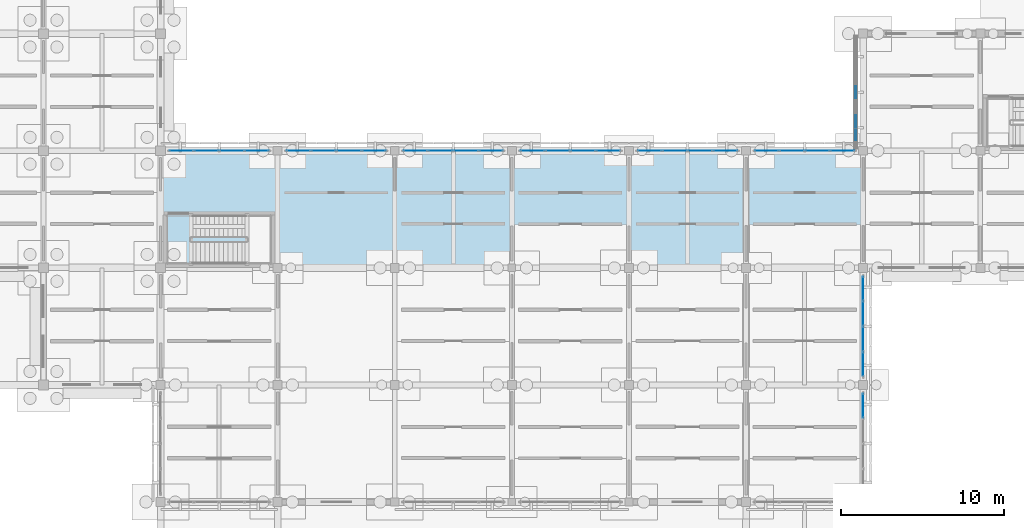
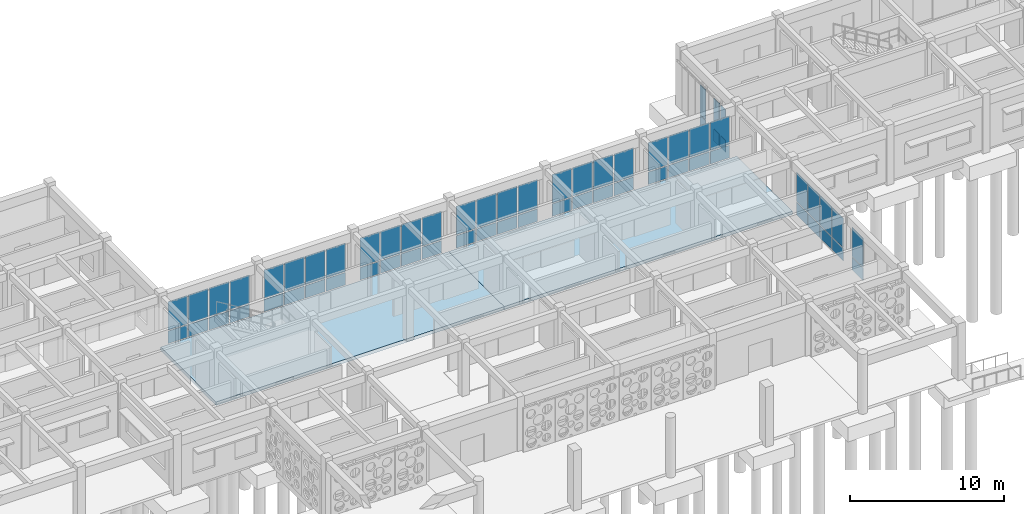
# One storey, part 53 of 111: 64 plates, 2 slabs, 9 elements without a shape of their own.
"""IFC4 building model written with IfcOpenShell, lengths in metres."""

import ifcopenshell
import ifcopenshell.guid

model = None  # the IFC model being written
_history = None  # IfcOwnerHistory: only IFC2X3 demands one
_inside = {}  # id of a spatial element -> (the spatial element, [elements in it])
_under = {}  # id of a project, library or spatial element -> (it, [spatial elements below it])
_declared = {}  # id of a project -> (the project, [libraries it declares])
_typed = {}  # id of a type object -> (the type object, [elements of that type])
_made_of = {}  # id of a material, layer set ... -> (it, [elements and type objects made of it])


def new_model(schema):
    """Start an empty IFC model of exactly this schema.

    Asked for "IFC4X3", IfcOpenShell would pick the latest addendum, in which some entities
    have other attributes; the version numbers below select the first issue.
    IFC2X3 requires an IfcOwnerHistory on every rooted entity: one is made here for all.
    """
    global model, _history
    if schema == "IFC4X3":
        model = ifcopenshell.file(schema_version=(4, 3, 0, 0))
    else:
        model = ifcopenshell.file(schema=schema)
    _inside.clear()
    _under.clear()
    _declared.clear()
    _typed.clear()
    _made_of.clear()
    _history = None
    if model.schema == "IFC2X3":
        org = make("IfcOrganization", Name="unknown")
        user = make(
            "IfcPersonAndOrganization",
            ThePerson=make("IfcPerson", FamilyName="unknown"),
            TheOrganization=org,
        )
        app = make(
            "IfcApplication",
            ApplicationDeveloper=org,
            Version="unknown",
            ApplicationFullName="unknown",
            ApplicationIdentifier="unknown",
        )
        _history = make(
            "IfcOwnerHistory",
            OwningUser=user,
            OwningApplication=app,
            ChangeAction="ADDED",
            CreationDate=0,
        )
    return model


def make(cls, **values):
    """One entity of the class cls with the attributes given. An attribute that is None is left unset."""
    return model.create_entity(
        cls, **{name: value for name, value in values.items() if value is not None}
    )


def rooted(cls, **values):
    """An entity with a GlobalId (a new one), such as an element, a storey or a relation."""
    return make(cls, GlobalId=ifcopenshell.guid.new(), OwnerHistory=_history, **values)


def si_unit(unit_type, name, prefix=None):
    """IfcSIUnit, for example si_unit("LENGTHUNIT", "METRE", prefix="MILLI")."""
    return make("IfcSIUnit", UnitType=unit_type, Prefix=prefix, Name=name)


def assignment(units):
    """IfcUnitAssignment: the units of a project."""
    return None if units is None else make("IfcUnitAssignment", Units=units)


def point(xyz):
    """IfcCartesianPoint."""
    return None if xyz is None else make("IfcCartesianPoint", Coordinates=xyz)


def direction(xyz):
    """IfcDirection."""
    return None if xyz is None else make("IfcDirection", DirectionRatios=xyz)


def frame(location, z_axis=None, x_axis=None):
    """IfcAxis2Placement3D, a coordinate frame: its origin and axes. An axis left out is left unset."""
    return make(
        "IfcAxis2Placement3D",
        Location=point(location),
        Axis=direction(z_axis),
        RefDirection=direction(x_axis),
    )


def frame_2d(location, x_axis=None):
    """IfcAxis2Placement2D, a coordinate frame in the plane: its origin and x axis."""
    return make(
        "IfcAxis2Placement2D", Location=point(location), RefDirection=direction(x_axis)
    )


def origin():
    """The frame at (0, 0, 0) with its axes left unset."""
    return frame((0.0, 0.0, 0.0))


def origin_2d():
    """The frame at (0, 0) in the plane with its x axis left unset."""
    return frame_2d((0.0, 0.0))


def place(relative_to, where):
    """IfcLocalPlacement: puts the frame where relative to a parent placement (None: the world)."""
    return make(
        "IfcLocalPlacement", PlacementRelTo=relative_to, RelativePlacement=where
    )


def context(
    kind, dimensions, precision=None, world=None, true_north=None, identifier=None
):
    """IfcGeometricRepresentationContext, for example the 3D "Model" context."""
    return make(
        "IfcGeometricRepresentationContext",
        ContextIdentifier=identifier,
        ContextType=kind,
        CoordinateSpaceDimension=dimensions,
        Precision=precision,
        WorldCoordinateSystem=world,
        TrueNorth=true_north,
    )


def subcontext(parent, identifier, kind, view, scale=None):
    """IfcGeometricRepresentationSubContext, for example "Body" below "Model"."""
    return make(
        "IfcGeometricRepresentationSubContext",
        ContextIdentifier=identifier,
        ContextType=kind,
        ParentContext=parent,
        TargetScale=scale,
        TargetView=view,
    )


def project(units=None, contexts=None):
    """IfcProject with its units and contexts."""
    return rooted(
        "IfcProject",
        Name="project",
        RepresentationContexts=contexts,
        UnitsInContext=assignment(units),
    )


def spatial(cls, under=None, at=None, **own):
    """A site, building, storey or space (cls), placed at a placement, below another one or the project."""
    s = rooted(cls, ObjectPlacement=at, **own)
    if under is not None:
        _under.setdefault(under.id(), (under, []))[1].append(s)
    return s


def polyline(points):
    """IfcPolyline through the points."""
    return make("IfcPolyline", Points=[point(p) for p in points])


def profile(cls, at=None, kind="AREA", **sizes):
    """A parametric profile (cls). Its sizes go by their IFC names, for example OverallWidth=200.0."""
    return make(cls, ProfileType=kind, Position=at, **sizes)


def rectangle(**sizes):
    """IfcRectangleProfileDef."""
    return profile("IfcRectangleProfileDef", **sizes)


def outline(outer, holes=None, kind="AREA"):
    """IfcArbitraryClosedProfileDef: a profile drawn as a closed curve; with holes, ...WithVoids."""
    if holes is None:
        return make("IfcArbitraryClosedProfileDef", ProfileType=kind, OuterCurve=outer)
    return make(
        "IfcArbitraryProfileDefWithVoids",
        ProfileType=kind,
        OuterCurve=outer,
        InnerCurves=holes,
    )


def extrude(swept, where, along, depth):
    """IfcExtrudedAreaSolid: the profile swept, set in the frame where, extruded along a direction by depth."""
    return make(
        "IfcExtrudedAreaSolid",
        SweptArea=swept,
        Position=where,
        ExtrudedDirection=direction(along),
        Depth=depth,
    )


def shape(context_of_items, identifier, shape_type, items):
    """IfcShapeRepresentation: the items that make up one representation, for example the "Body"."""
    return make(
        "IfcShapeRepresentation",
        ContextOfItems=context_of_items,
        RepresentationIdentifier=identifier,
        RepresentationType=shape_type,
        Items=items,
    )


def material(Name=None, Category=None):
    """IfcMaterial."""
    return make("IfcMaterial", Name=Name, Category=Category)


def layer(
    of_material, thickness, ventilated=None, Name=None, Category=None, Priority=None
):
    """IfcMaterialLayer: one layer of a wall or slab, of a material (None: an air gap)."""
    return make(
        "IfcMaterialLayer",
        Material=of_material,
        LayerThickness=thickness,
        IsVentilated=ventilated,
        Name=Name,
        Category=Category,
        Priority=Priority,
    )


def layer_set(layers, Name=None):
    """IfcMaterialLayerSet."""
    return make("IfcMaterialLayerSet", MaterialLayers=layers, LayerSetName=Name)


def made_of(thing, what):
    """Note that an element or type object is made of a material, layer set ...; save() writes the relation."""
    if what is not None:
        _made_of.setdefault(what.id(), (what, []))[1].append(thing)
    return thing


def type_object(cls, material=None, **own):
    """A type object (cls), such as IfcWallType, which elements share."""
    return made_of(rooted(cls, **own), material)


def element(
    cls,
    number,
    at=None,
    inside=None,
    cuts=None,
    type_object=None,
    material=None,
    context=None,
    identifier="Body",
    shape_type=None,
    held_by="IfcProductDefinitionShape",
    body=None,
    shapes=None,
    **own,
):
    """One element of the class cls, such as IfcWall. Its Tag is "e" and its number.

    at: its placement. inside: the storey or other place that contains it. cuts: it is an
    opening in that element (IfcRelVoidsElement). A single representation is given by context,
    identifier, shape_type and body (its items); several are given by shapes. held_by: the class
    of the entity that holds the representations. save() writes the other relations.
    """
    e = rooted(cls, Tag="e%d" % number, ObjectPlacement=at, **own)
    if body is not None:
        shapes = [shape(context, identifier, shape_type, body)]
    if shapes is not None:
        e.Representation = make(held_by, Representations=shapes)
    if inside is not None:
        _inside.setdefault(inside.id(), (inside, []))[1].append(e)
    if cuts is not None:
        rooted(
            "IfcRelVoidsElement", RelatingBuildingElement=cuts, RelatedOpeningElement=e
        )
    if type_object is not None:
        _typed.setdefault(type_object.id(), (type_object, []))[1].append(e)
    return made_of(e, material)


def aggregate(whole, parts):
    """IfcRelAggregates: a whole, such as a stair, and the parts it consists of."""
    return rooted("IfcRelAggregates", RelatingObject=whole, RelatedObjects=parts)


def save(model, path):
    """Write the relations noted so far, then the file.

    IfcRelAggregates (storeys below a building ...), IfcRelContainedInSpatialStructure (elements
    in a storey), IfcRelDefinesByType, IfcRelAssociatesMaterial and IfcRelDeclares: one each for
    every whole, place, type object, material and project.
    """
    for whole, parts in _under.values():
        aggregate(whole, parts)
    for where, things in _inside.values():
        rooted(
            "IfcRelContainedInSpatialStructure",
            RelatedElements=things,
            RelatingStructure=where,
        )
    for kind, things in _typed.values():
        rooted("IfcRelDefinesByType", RelatedObjects=things, RelatingType=kind)
    for what, things in _made_of.values():
        rooted("IfcRelAssociatesMaterial", RelatedObjects=things, RelatingMaterial=what)
    for by, libraries in _declared.values():
        rooted("IfcRelDeclares", RelatingContext=by, RelatedDefinitions=libraries)
    model.write(path)


model = new_model("IFC4")

# Units and contexts
model_context = context("Model", 3, precision=1e-05, world=origin(), true_north=direction((0.0, 1.0)))
body_context = subcontext(model_context, "Body", "Model", "MODEL_VIEW")
ifc_project = project(units=[si_unit("LENGTHUNIT", "METRE"), si_unit("AREAUNIT", "SQUARE_METRE"), si_unit("VOLUMEUNIT", "CUBIC_METRE"), si_unit("PLANEANGLEUNIT", "RADIAN"), si_unit("MASSUNIT", "GRAM", prefix="KILO")], contexts=[model_context])

# Site, building, storey
site_placement = place(None, origin())
site = spatial("IfcSite", under=ifc_project, at=site_placement, CompositionType="ELEMENT")
building_placement = place(site_placement, origin())
building = spatial("IfcBuilding", under=site, at=building_placement, Name="Aldebral Square Health Centre", CompositionType="ELEMENT")
storey_placement = place(building_placement, origin())
storey = spatial("IfcBuildingStorey", under=building, at=storey_placement, Name="L00", CompositionType="ELEMENT", Elevation=0.0)

# Curtain wall, plates
ifc_material_1 = material(Name="Aluminium and low-E solar glass", Category="aluminium")
curtain_wall_type_1 = type_object("IfcCurtainWallType", Name="CW-HALL-SYS", PredefinedType="USERDEFINED", material=ifc_material_1)
curtain_wall_1_placement = place(storey_placement, origin())
curtain_wall_1 = element("IfcCurtainWall", 1, at=curtain_wall_1_placement, inside=storey, type_object=curtain_wall_type_1, Name="L00 V1 hall curtain wall L00-V1-09-13-N", ObjectType="HALL_CURTAIN_WALL", PredefinedType="USERDEFINED")
ifc_material_2 = material(Name="Solar-control low-E double glass", Category="glass")
ifc_layer_1 = layer(ifc_material_2, 0.030029296875, Name="Solar-control low-E double glass", Category="glass")
ifc_layer_set_1 = layer_set([ifc_layer_1], Name="Solar-control low-E double glass")
plate_type_1 = type_object("IfcPlateType", Name="CWP-GLZ-2", PredefinedType="CURTAIN_PANEL", material=ifc_layer_set_1)
plate_1_placement = place(storey_placement, frame((70.72119140625, 100.800048828125, 0.0751953125), z_axis=(0.0, 0.0, 1.0), x_axis=(-1.0, 0.0, 0.0)))
plate_1 = element("IfcPlate", 2, at=plate_1_placement, type_object=plate_type_1, Name="CW2 panel 1.1", PredefinedType="CURTAIN_PANEL", context=body_context, shape_type="SweptSolid", body=[
    extrude(rectangle(XDim=1.447509765625, YDim=0.030029296875, at=origin_2d()), origin(), (0.0, 0.0, 1.0), 0.987548828125),
])
plate_2_placement = place(storey_placement, frame((70.72119140625, 100.800048828125, 1.1376953125), z_axis=(0.0, 0.0, 1.0), x_axis=(-1.0, 0.0, 0.0)))
plate_2 = element("IfcPlate", 3, at=plate_2_placement, type_object=plate_type_1, Name="CW2 panel 1.2", PredefinedType="CURTAIN_PANEL", context=body_context, shape_type="SweptSolid", body=[
    extrude(rectangle(XDim=1.447509765625, YDim=0.030029296875, at=origin_2d()), origin(), (0.0, 0.0, 1.0), 2.257568359375),
])
plate_3_placement = place(storey_placement, frame((69.179931640625, 100.800048828125, 0.0751953125), z_axis=(0.0, 0.0, 1.0), x_axis=(-1.0, 0.0, 0.0)))
plate_3 = element("IfcPlate", 4, at=plate_3_placement, type_object=plate_type_1, Name="CW2 panel 2.1", PredefinedType="CURTAIN_PANEL", context=body_context, shape_type="SweptSolid", body=[
    extrude(rectangle(XDim=1.485107421875, YDim=0.030029296875, at=origin_2d()), origin(), (0.0, 0.0, 1.0), 0.987548828125),
])
plate_4_placement = place(storey_placement, frame((69.179931640625, 100.800048828125, 1.1376953125), z_axis=(0.0, 0.0, 1.0), x_axis=(-1.0, 0.0, 0.0)))
plate_4 = element("IfcPlate", 5, at=plate_4_placement, type_object=plate_type_1, Name="CW2 panel 2.2", PredefinedType="CURTAIN_PANEL", context=body_context, shape_type="SweptSolid", body=[
    extrude(rectangle(XDim=1.485107421875, YDim=0.030029296875, at=origin_2d()), origin(), (0.0, 0.0, 1.0), 2.257568359375),
])
plate_5_placement = place(storey_placement, frame((67.6201171875, 100.800048828125, 0.0751953125), z_axis=(0.0, 0.0, 1.0), x_axis=(-1.0, 0.0, 0.0)))
plate_5 = element("IfcPlate", 6, at=plate_5_placement, type_object=plate_type_1, Name="CW2 panel 3.1", PredefinedType="CURTAIN_PANEL", context=body_context, shape_type="SweptSolid", body=[
    extrude(rectangle(XDim=1.485107421875, YDim=0.030029296875, at=origin_2d()), origin(), (0.0, 0.0, 1.0), 0.987548828125),
])
plate_6_placement = place(storey_placement, frame((67.6201171875, 100.800048828125, 1.1376953125), z_axis=(0.0, 0.0, 1.0), x_axis=(-1.0, 0.0, 0.0)))
plate_6 = element("IfcPlate", 7, at=plate_6_placement, type_object=plate_type_1, Name="CW2 panel 3.2", PredefinedType="CURTAIN_PANEL", context=body_context, shape_type="SweptSolid", body=[
    extrude(rectangle(XDim=1.485107421875, YDim=0.030029296875, at=origin_2d()), origin(), (0.0, 0.0, 1.0), 2.257568359375),
])
plate_7_placement = place(storey_placement, frame((66.078857421875, 100.800048828125, 0.0751953125), z_axis=(0.0, 0.0, 1.0), x_axis=(-1.0, 0.0, 0.0)))
plate_7 = element("IfcPlate", 8, at=plate_7_placement, type_object=plate_type_1, Name="CW2 panel 4.1", PredefinedType="CURTAIN_PANEL", context=body_context, shape_type="SweptSolid", body=[
    extrude(rectangle(XDim=1.447509765625, YDim=0.030029296875, at=origin_2d()), origin(), (0.0, 0.0, 1.0), 0.987548828125),
])
plate_8_placement = place(storey_placement, frame((66.078857421875, 100.800048828125, 1.1376953125), z_axis=(0.0, 0.0, 1.0), x_axis=(-1.0, 0.0, 0.0)))
plate_8 = element("IfcPlate", 9, at=plate_8_placement, type_object=plate_type_1, Name="CW2 panel 4.2", PredefinedType="CURTAIN_PANEL", context=body_context, shape_type="SweptSolid", body=[
    extrude(rectangle(XDim=1.447509765625, YDim=0.030029296875, at=origin_2d()), origin(), (0.0, 0.0, 1.0), 2.257568359375),
])
aggregate(curtain_wall_1, [plate_1, plate_2, plate_3, plate_4, plate_5, plate_6, plate_7, plate_8])

curtain_wall_2_placement = place(storey_placement, origin())
curtain_wall_2 = element("IfcCurtainWall", 10, at=curtain_wall_2_placement, inside=storey, type_object=curtain_wall_type_1, Name="L00 V1 hall curtain wall L00-V1-10-13-N", ObjectType="HALL_CURTAIN_WALL", PredefinedType="USERDEFINED")
plate_9_placement = place(storey_placement, frame((77.921142578125, 100.800048828125, 0.0751953125), z_axis=(0.0, 0.0, 1.0), x_axis=(-1.0, 0.0, 0.0)))
plate_9 = element("IfcPlate", 11, at=plate_9_placement, type_object=plate_type_1, Name="CW2 panel 1.1", PredefinedType="CURTAIN_PANEL", context=body_context, shape_type="SweptSolid", body=[
    extrude(rectangle(XDim=1.447509765625, YDim=0.030029296875, at=origin_2d()), origin(), (0.0, 0.0, 1.0), 0.987548828125),
])
plate_10_placement = place(storey_placement, frame((77.921142578125, 100.800048828125, 1.1376953125), z_axis=(0.0, 0.0, 1.0), x_axis=(-1.0, 0.0, 0.0)))
plate_10 = element("IfcPlate", 12, at=plate_10_placement, type_object=plate_type_1, Name="CW2 panel 1.2", PredefinedType="CURTAIN_PANEL", context=body_context, shape_type="SweptSolid", body=[
    extrude(rectangle(XDim=1.447509765625, YDim=0.030029296875, at=origin_2d()), origin(), (0.0, 0.0, 1.0), 2.257568359375),
])
plate_11_placement = place(storey_placement, frame((76.3798828125, 100.800048828125, 0.0751953125), z_axis=(0.0, 0.0, 1.0), x_axis=(-1.0, 0.0, 0.0)))
plate_11 = element("IfcPlate", 13, at=plate_11_placement, type_object=plate_type_1, Name="CW2 panel 2.1", PredefinedType="CURTAIN_PANEL", context=body_context, shape_type="SweptSolid", body=[
    extrude(rectangle(XDim=1.485107421875, YDim=0.030029296875, at=origin_2d()), origin(), (0.0, 0.0, 1.0), 0.987548828125),
])
plate_12_placement = place(storey_placement, frame((76.3798828125, 100.800048828125, 1.1376953125), z_axis=(0.0, 0.0, 1.0), x_axis=(-1.0, 0.0, 0.0)))
plate_12 = element("IfcPlate", 14, at=plate_12_placement, type_object=plate_type_1, Name="CW2 panel 2.2", PredefinedType="CURTAIN_PANEL", context=body_context, shape_type="SweptSolid", body=[
    extrude(rectangle(XDim=1.485107421875, YDim=0.030029296875, at=origin_2d()), origin(), (0.0, 0.0, 1.0), 2.257568359375),
])
plate_13_placement = place(storey_placement, frame((74.820068359375, 100.800048828125, 0.0751953125), z_axis=(0.0, 0.0, 1.0), x_axis=(-1.0, 0.0, 0.0)))
plate_13 = element("IfcPlate", 15, at=plate_13_placement, type_object=plate_type_1, Name="CW2 panel 3.1", PredefinedType="CURTAIN_PANEL", context=body_context, shape_type="SweptSolid", body=[
    extrude(rectangle(XDim=1.485107421875, YDim=0.030029296875, at=origin_2d()), origin(), (0.0, 0.0, 1.0), 0.987548828125),
])
plate_14_placement = place(storey_placement, frame((74.820068359375, 100.800048828125, 1.1376953125), z_axis=(0.0, 0.0, 1.0), x_axis=(-1.0, 0.0, 0.0)))
plate_14 = element("IfcPlate", 16, at=plate_14_placement, type_object=plate_type_1, Name="CW2 panel 3.2", PredefinedType="CURTAIN_PANEL", context=body_context, shape_type="SweptSolid", body=[
    extrude(rectangle(XDim=1.485107421875, YDim=0.030029296875, at=origin_2d()), origin(), (0.0, 0.0, 1.0), 2.257568359375),
])
plate_15_placement = place(storey_placement, frame((73.27880859375, 100.800048828125, 0.0751953125), z_axis=(0.0, 0.0, 1.0), x_axis=(-1.0, 0.0, 0.0)))
plate_15 = element("IfcPlate", 17, at=plate_15_placement, type_object=plate_type_1, Name="CW2 panel 4.1", PredefinedType="CURTAIN_PANEL", context=body_context, shape_type="SweptSolid", body=[
    extrude(rectangle(XDim=1.447509765625, YDim=0.030029296875, at=origin_2d()), origin(), (0.0, 0.0, 1.0), 0.987548828125),
])
plate_16_placement = place(storey_placement, frame((73.27880859375, 100.800048828125, 1.1376953125), z_axis=(0.0, 0.0, 1.0), x_axis=(-1.0, 0.0, 0.0)))
plate_16 = element("IfcPlate", 18, at=plate_16_placement, type_object=plate_type_1, Name="CW2 panel 4.2", PredefinedType="CURTAIN_PANEL", context=body_context, shape_type="SweptSolid", body=[
    extrude(rectangle(XDim=1.447509765625, YDim=0.030029296875, at=origin_2d()), origin(), (0.0, 0.0, 1.0), 2.257568359375),
])
aggregate(curtain_wall_2, [plate_9, plate_10, plate_11, plate_12, plate_13, plate_14, plate_15, plate_16])

curtain_wall_3_placement = place(storey_placement, origin())
curtain_wall_3 = element("IfcCurtainWall", 19, at=curtain_wall_3_placement, inside=storey, type_object=curtain_wall_type_1, Name="L00 V1 hall curtain wall L00-V1-11-13-N", ObjectType="HALL_CURTAIN_WALL", PredefinedType="USERDEFINED")
plate_17_placement = place(storey_placement, frame((85.121337890625, 100.800048828125, 0.0751953125), z_axis=(0.0, 0.0, 1.0), x_axis=(-1.0, 0.0, 0.0)))
plate_17 = element("IfcPlate", 20, at=plate_17_placement, type_object=plate_type_1, Name="CW2 panel 1.1", PredefinedType="CURTAIN_PANEL", context=body_context, shape_type="SweptSolid", body=[
    extrude(rectangle(XDim=1.447509765625, YDim=0.030029296875, at=origin_2d()), origin(), (0.0, 0.0, 1.0), 0.987548828125),
])
plate_18_placement = place(storey_placement, frame((85.121337890625, 100.800048828125, 1.1376953125), z_axis=(0.0, 0.0, 1.0), x_axis=(-1.0, 0.0, 0.0)))
plate_18 = element("IfcPlate", 21, at=plate_18_placement, type_object=plate_type_1, Name="CW2 panel 1.2", PredefinedType="CURTAIN_PANEL", context=body_context, shape_type="SweptSolid", body=[
    extrude(rectangle(XDim=1.447509765625, YDim=0.030029296875, at=origin_2d()), origin(), (0.0, 0.0, 1.0), 2.257568359375),
])
plate_19_placement = place(storey_placement, frame((83.580078125, 100.800048828125, 0.0751953125), z_axis=(0.0, 0.0, 1.0), x_axis=(-1.0, 0.0, 0.0)))
plate_19 = element("IfcPlate", 22, at=plate_19_placement, type_object=plate_type_1, Name="CW2 panel 2.1", PredefinedType="CURTAIN_PANEL", context=body_context, shape_type="SweptSolid", body=[
    extrude(rectangle(XDim=1.485107421875, YDim=0.030029296875, at=origin_2d()), origin(), (0.0, 0.0, 1.0), 0.987548828125),
])
plate_20_placement = place(storey_placement, frame((83.580078125, 100.800048828125, 1.1376953125), z_axis=(0.0, 0.0, 1.0), x_axis=(-1.0, 0.0, 0.0)))
plate_20 = element("IfcPlate", 23, at=plate_20_placement, type_object=plate_type_1, Name="CW2 panel 2.2", PredefinedType="CURTAIN_PANEL", context=body_context, shape_type="SweptSolid", body=[
    extrude(rectangle(XDim=1.485107421875, YDim=0.030029296875, at=origin_2d()), origin(), (0.0, 0.0, 1.0), 2.257568359375),
])
plate_21_placement = place(storey_placement, frame((82.02001953125, 100.800048828125, 0.0751953125), z_axis=(0.0, 0.0, 1.0), x_axis=(-1.0, 0.0, 0.0)))
plate_21 = element("IfcPlate", 24, at=plate_21_placement, type_object=plate_type_1, Name="CW2 panel 3.1", PredefinedType="CURTAIN_PANEL", context=body_context, shape_type="SweptSolid", body=[
    extrude(rectangle(XDim=1.485107421875, YDim=0.030029296875, at=origin_2d()), origin(), (0.0, 0.0, 1.0), 0.987548828125),
])
plate_22_placement = place(storey_placement, frame((82.02001953125, 100.800048828125, 1.1376953125), z_axis=(0.0, 0.0, 1.0), x_axis=(-1.0, 0.0, 0.0)))
plate_22 = element("IfcPlate", 25, at=plate_22_placement, type_object=plate_type_1, Name="CW2 panel 3.2", PredefinedType="CURTAIN_PANEL", context=body_context, shape_type="SweptSolid", body=[
    extrude(rectangle(XDim=1.485107421875, YDim=0.030029296875, at=origin_2d()), origin(), (0.0, 0.0, 1.0), 2.257568359375),
])
plate_23_placement = place(storey_placement, frame((80.478759765625, 100.800048828125, 0.0751953125), z_axis=(0.0, 0.0, 1.0), x_axis=(-1.0, 0.0, 0.0)))
plate_23 = element("IfcPlate", 26, at=plate_23_placement, type_object=plate_type_1, Name="CW2 panel 4.1", PredefinedType="CURTAIN_PANEL", context=body_context, shape_type="SweptSolid", body=[
    extrude(rectangle(XDim=1.447509765625, YDim=0.030029296875, at=origin_2d()), origin(), (0.0, 0.0, 1.0), 0.987548828125),
])
plate_24_placement = place(storey_placement, frame((80.478759765625, 100.800048828125, 1.1376953125), z_axis=(0.0, 0.0, 1.0), x_axis=(-1.0, 0.0, 0.0)))
plate_24 = element("IfcPlate", 27, at=plate_24_placement, type_object=plate_type_1, Name="CW2 panel 4.2", PredefinedType="CURTAIN_PANEL", context=body_context, shape_type="SweptSolid", body=[
    extrude(rectangle(XDim=1.447509765625, YDim=0.030029296875, at=origin_2d()), origin(), (0.0, 0.0, 1.0), 2.257568359375),
])
aggregate(curtain_wall_3, [plate_17, plate_18, plate_19, plate_20, plate_21, plate_22, plate_23, plate_24])

curtain_wall_4_placement = place(storey_placement, origin())
curtain_wall_4 = element("IfcCurtainWall", 28, at=curtain_wall_4_placement, inside=storey, type_object=curtain_wall_type_1, Name="L00 V1 hall curtain wall L00-V1-12-13-N", ObjectType="HALL_CURTAIN_WALL", PredefinedType="USERDEFINED")
plate_25_placement = place(storey_placement, frame((92.3212890625, 100.800048828125, 0.0751953125), z_axis=(0.0, 0.0, 1.0), x_axis=(-1.0, 0.0, 0.0)))
plate_25 = element("IfcPlate", 29, at=plate_25_placement, type_object=plate_type_1, Name="CW2 panel 1.1", PredefinedType="CURTAIN_PANEL", context=body_context, shape_type="SweptSolid", body=[
    extrude(rectangle(XDim=1.447509765625, YDim=0.030029296875, at=origin_2d()), origin(), (0.0, 0.0, 1.0), 0.987548828125),
])
plate_26_placement = place(storey_placement, frame((92.3212890625, 100.800048828125, 1.1376953125), z_axis=(0.0, 0.0, 1.0), x_axis=(-1.0, 0.0, 0.0)))
plate_26 = element("IfcPlate", 30, at=plate_26_placement, type_object=plate_type_1, Name="CW2 panel 1.2", PredefinedType="CURTAIN_PANEL", context=body_context, shape_type="SweptSolid", body=[
    extrude(rectangle(XDim=1.447509765625, YDim=0.030029296875, at=origin_2d()), origin(), (0.0, 0.0, 1.0), 2.257568359375),
])
plate_27_placement = place(storey_placement, frame((90.780029296875, 100.800048828125, 0.0751953125), z_axis=(0.0, 0.0, 1.0), x_axis=(-1.0, 0.0, 0.0)))
plate_27 = element("IfcPlate", 31, at=plate_27_placement, type_object=plate_type_1, Name="CW2 panel 2.1", PredefinedType="CURTAIN_PANEL", context=body_context, shape_type="SweptSolid", body=[
    extrude(rectangle(XDim=1.485107421875, YDim=0.030029296875, at=origin_2d()), origin(), (0.0, 0.0, 1.0), 0.987548828125),
])
plate_28_placement = place(storey_placement, frame((90.780029296875, 100.800048828125, 1.1376953125), z_axis=(0.0, 0.0, 1.0), x_axis=(-1.0, 0.0, 0.0)))
plate_28 = element("IfcPlate", 32, at=plate_28_placement, type_object=plate_type_1, Name="CW2 panel 2.2", PredefinedType="CURTAIN_PANEL", context=body_context, shape_type="SweptSolid", body=[
    extrude(rectangle(XDim=1.485107421875, YDim=0.030029296875, at=origin_2d()), origin(), (0.0, 0.0, 1.0), 2.257568359375),
])
plate_29_placement = place(storey_placement, frame((89.219970703125, 100.800048828125, 0.0751953125), z_axis=(0.0, 0.0, 1.0), x_axis=(-1.0, 0.0, 0.0)))
plate_29 = element("IfcPlate", 33, at=plate_29_placement, type_object=plate_type_1, Name="CW2 panel 3.1", PredefinedType="CURTAIN_PANEL", context=body_context, shape_type="SweptSolid", body=[
    extrude(rectangle(XDim=1.485107421875, YDim=0.030029296875, at=origin_2d()), origin(), (0.0, 0.0, 1.0), 0.987548828125),
])
plate_30_placement = place(storey_placement, frame((89.219970703125, 100.800048828125, 1.1376953125), z_axis=(0.0, 0.0, 1.0), x_axis=(-1.0, 0.0, 0.0)))
plate_30 = element("IfcPlate", 34, at=plate_30_placement, type_object=plate_type_1, Name="CW2 panel 3.2", PredefinedType="CURTAIN_PANEL", context=body_context, shape_type="SweptSolid", body=[
    extrude(rectangle(XDim=1.485107421875, YDim=0.030029296875, at=origin_2d()), origin(), (0.0, 0.0, 1.0), 2.257568359375),
])
plate_31_placement = place(storey_placement, frame((87.6787109375, 100.800048828125, 0.0751953125), z_axis=(0.0, 0.0, 1.0), x_axis=(-1.0, 0.0, 0.0)))
plate_31 = element("IfcPlate", 35, at=plate_31_placement, type_object=plate_type_1, Name="CW2 panel 4.1", PredefinedType="CURTAIN_PANEL", context=body_context, shape_type="SweptSolid", body=[
    extrude(rectangle(XDim=1.447509765625, YDim=0.030029296875, at=origin_2d()), origin(), (0.0, 0.0, 1.0), 0.987548828125),
])
plate_32_placement = place(storey_placement, frame((87.6787109375, 100.800048828125, 1.1376953125), z_axis=(0.0, 0.0, 1.0), x_axis=(-1.0, 0.0, 0.0)))
plate_32 = element("IfcPlate", 36, at=plate_32_placement, type_object=plate_type_1, Name="CW2 panel 4.2", PredefinedType="CURTAIN_PANEL", context=body_context, shape_type="SweptSolid", body=[
    extrude(rectangle(XDim=1.447509765625, YDim=0.030029296875, at=origin_2d()), origin(), (0.0, 0.0, 1.0), 2.257568359375),
])
aggregate(curtain_wall_4, [plate_25, plate_26, plate_27, plate_28, plate_29, plate_30, plate_31, plate_32])

curtain_wall_5_placement = place(storey_placement, origin())
curtain_wall_5 = element("IfcCurtainWall", 37, at=curtain_wall_5_placement, inside=storey, type_object=curtain_wall_type_1, Name="L00 V1 hall curtain wall L00-V1-13-13-N", ObjectType="HALL_CURTAIN_WALL", PredefinedType="USERDEFINED")
plate_33_placement = place(storey_placement, frame((99.521240234375, 100.800048828125, 0.0751953125), z_axis=(0.0, 0.0, 1.0), x_axis=(-1.0, 0.0, 0.0)))
plate_33 = element("IfcPlate", 38, at=plate_33_placement, type_object=plate_type_1, Name="CW2 panel 1.1", PredefinedType="CURTAIN_PANEL", context=body_context, shape_type="SweptSolid", body=[
    extrude(rectangle(XDim=1.447509765625, YDim=0.030029296875, at=origin_2d()), origin(), (0.0, 0.0, 1.0), 0.987548828125),
])
plate_34_placement = place(storey_placement, frame((99.521240234375, 100.800048828125, 1.1376953125), z_axis=(0.0, 0.0, 1.0), x_axis=(-1.0, 0.0, 0.0)))
plate_34 = element("IfcPlate", 39, at=plate_34_placement, type_object=plate_type_1, Name="CW2 panel 1.2", PredefinedType="CURTAIN_PANEL", context=body_context, shape_type="SweptSolid", body=[
    extrude(rectangle(XDim=1.447509765625, YDim=0.030029296875, at=origin_2d()), origin(), (0.0, 0.0, 1.0), 2.257568359375),
])
plate_35_placement = place(storey_placement, frame((97.97998046875, 100.800048828125, 0.0751953125), z_axis=(0.0, 0.0, 1.0), x_axis=(-1.0, 0.0, 0.0)))
plate_35 = element("IfcPlate", 40, at=plate_35_placement, type_object=plate_type_1, Name="CW2 panel 2.1", PredefinedType="CURTAIN_PANEL", context=body_context, shape_type="SweptSolid", body=[
    extrude(rectangle(XDim=1.485107421875, YDim=0.030029296875, at=origin_2d()), origin(), (0.0, 0.0, 1.0), 0.987548828125),
])
plate_36_placement = place(storey_placement, frame((97.97998046875, 100.800048828125, 1.1376953125), z_axis=(0.0, 0.0, 1.0), x_axis=(-1.0, 0.0, 0.0)))
plate_36 = element("IfcPlate", 41, at=plate_36_placement, type_object=plate_type_1, Name="CW2 panel 2.2", PredefinedType="CURTAIN_PANEL", context=body_context, shape_type="SweptSolid", body=[
    extrude(rectangle(XDim=1.485107421875, YDim=0.030029296875, at=origin_2d()), origin(), (0.0, 0.0, 1.0), 2.257568359375),
])
plate_37_placement = place(storey_placement, frame((96.419921875, 100.800048828125, 0.0751953125), z_axis=(0.0, 0.0, 1.0), x_axis=(-1.0, 0.0, 0.0)))
plate_37 = element("IfcPlate", 42, at=plate_37_placement, type_object=plate_type_1, Name="CW2 panel 3.1", PredefinedType="CURTAIN_PANEL", context=body_context, shape_type="SweptSolid", body=[
    extrude(rectangle(XDim=1.485107421875, YDim=0.030029296875, at=origin_2d()), origin(), (0.0, 0.0, 1.0), 0.987548828125),
])
plate_38_placement = place(storey_placement, frame((96.419921875, 100.800048828125, 1.1376953125), z_axis=(0.0, 0.0, 1.0), x_axis=(-1.0, 0.0, 0.0)))
plate_38 = element("IfcPlate", 43, at=plate_38_placement, type_object=plate_type_1, Name="CW2 panel 3.2", PredefinedType="CURTAIN_PANEL", context=body_context, shape_type="SweptSolid", body=[
    extrude(rectangle(XDim=1.485107421875, YDim=0.030029296875, at=origin_2d()), origin(), (0.0, 0.0, 1.0), 2.257568359375),
])
plate_39_placement = place(storey_placement, frame((94.878662109375, 100.800048828125, 0.0751953125), z_axis=(0.0, 0.0, 1.0), x_axis=(-1.0, 0.0, 0.0)))
plate_39 = element("IfcPlate", 44, at=plate_39_placement, type_object=plate_type_1, Name="CW2 panel 4.1", PredefinedType="CURTAIN_PANEL", context=body_context, shape_type="SweptSolid", body=[
    extrude(rectangle(XDim=1.447509765625, YDim=0.030029296875, at=origin_2d()), origin(), (0.0, 0.0, 1.0), 0.987548828125),
])
plate_40_placement = place(storey_placement, frame((94.878662109375, 100.800048828125, 1.1376953125), z_axis=(0.0, 0.0, 1.0), x_axis=(-1.0, 0.0, 0.0)))
plate_40 = element("IfcPlate", 45, at=plate_40_placement, type_object=plate_type_1, Name="CW2 panel 4.2", PredefinedType="CURTAIN_PANEL", context=body_context, shape_type="SweptSolid", body=[
    extrude(rectangle(XDim=1.447509765625, YDim=0.030029296875, at=origin_2d()), origin(), (0.0, 0.0, 1.0), 2.257568359375),
])
aggregate(curtain_wall_5, [plate_33, plate_34, plate_35, plate_36, plate_37, plate_38, plate_39, plate_40])

curtain_wall_6_placement = place(storey_placement, origin())
curtain_wall_6 = element("IfcCurtainWall", 46, at=curtain_wall_6_placement, inside=storey, type_object=curtain_wall_type_1, Name="L00 V1 hall curtain wall L00-V1-14-11-E", ObjectType="HALL_CURTAIN_WALL", PredefinedType="USERDEFINED")
plate_41_placement = place(storey_placement, frame((108.0, 85.121337890625, 0.0751953125), z_axis=(0.0, 0.0, 1.0), x_axis=(0.0, 1.0, 0.0)))
plate_41 = element("IfcPlate", 47, at=plate_41_placement, type_object=plate_type_1, Name="CW2 panel 4.1", PredefinedType="CURTAIN_PANEL", context=body_context, shape_type="SweptSolid", body=[
    extrude(rectangle(XDim=1.447509765625, YDim=0.030029296875, at=origin_2d()), origin(), (0.0, 0.0, 1.0), 0.987548828125),
])
plate_42_placement = place(storey_placement, frame((108.0, 85.121337890625, 1.137451171875), z_axis=(0.0, 0.0, 1.0), x_axis=(0.0, 1.0, 0.0)))
plate_42 = element("IfcPlate", 48, at=plate_42_placement, type_object=plate_type_1, Name="CW2 panel 4.2", PredefinedType="CURTAIN_PANEL", context=body_context, shape_type="SweptSolid", body=[
    extrude(rectangle(XDim=1.447509765625, YDim=0.030029296875, at=origin_2d()), origin(), (0.0, 0.0, 1.0), 2.3076171875),
])
aggregate(curtain_wall_6, [plate_41, plate_42])

curtain_wall_7_placement = place(storey_placement, origin())
curtain_wall_7 = element("IfcCurtainWall", 49, at=curtain_wall_7_placement, inside=storey, type_object=curtain_wall_type_1, Name="L00 V1 hall curtain wall L00-V1-14-12-E", ObjectType="HALL_CURTAIN_WALL", PredefinedType="USERDEFINED")
plate_43_placement = place(storey_placement, frame((108.0, 87.6787109375, 0.0751953125), z_axis=(0.0, 0.0, 1.0), x_axis=(0.0, 1.0, 0.0)))
plate_43 = element("IfcPlate", 50, at=plate_43_placement, type_object=plate_type_1, Name="CW2 panel 1.1", PredefinedType="CURTAIN_PANEL", context=body_context, shape_type="SweptSolid", body=[
    extrude(rectangle(XDim=1.447509765625, YDim=0.030029296875, at=origin_2d()), origin(), (0.0, 0.0, 1.0), 0.987548828125),
])
plate_44_placement = place(storey_placement, frame((108.0, 87.6787109375, 1.137451171875), z_axis=(0.0, 0.0, 1.0), x_axis=(0.0, 1.0, 0.0)))
plate_44 = element("IfcPlate", 51, at=plate_44_placement, type_object=plate_type_1, Name="CW2 panel 1.2", PredefinedType="CURTAIN_PANEL", context=body_context, shape_type="SweptSolid", body=[
    extrude(rectangle(XDim=1.447509765625, YDim=0.030029296875, at=origin_2d()), origin(), (0.0, 0.0, 1.0), 2.3076171875),
])
plate_45_placement = place(storey_placement, frame((108.0, 89.219970703125, 0.0751953125), z_axis=(0.0, 0.0, 1.0), x_axis=(0.0, 1.0, 0.0)))
plate_45 = element("IfcPlate", 52, at=plate_45_placement, type_object=plate_type_1, Name="CW2 panel 2.1", PredefinedType="CURTAIN_PANEL", context=body_context, shape_type="SweptSolid", body=[
    extrude(rectangle(XDim=1.485107421875, YDim=0.030029296875, at=origin_2d()), origin(), (0.0, 0.0, 1.0), 0.987548828125),
])
plate_46_placement = place(storey_placement, frame((108.0, 89.219970703125, 1.137451171875), z_axis=(0.0, 0.0, 1.0), x_axis=(0.0, 1.0, 0.0)))
plate_46 = element("IfcPlate", 53, at=plate_46_placement, type_object=plate_type_1, Name="CW2 panel 2.2", PredefinedType="CURTAIN_PANEL", context=body_context, shape_type="SweptSolid", body=[
    extrude(rectangle(XDim=1.485107421875, YDim=0.030029296875, at=origin_2d()), origin(), (0.0, 0.0, 1.0), 2.3076171875),
])
plate_47_placement = place(storey_placement, frame((108.0, 90.780029296875, 0.0751953125), z_axis=(0.0, 0.0, 1.0), x_axis=(0.0, 1.0, 0.0)))
plate_47 = element("IfcPlate", 54, at=plate_47_placement, type_object=plate_type_1, Name="CW2 panel 3.1", PredefinedType="CURTAIN_PANEL", context=body_context, shape_type="SweptSolid", body=[
    extrude(rectangle(XDim=1.485107421875, YDim=0.030029296875, at=origin_2d()), origin(), (0.0, 0.0, 1.0), 0.987548828125),
])
plate_48_placement = place(storey_placement, frame((108.0, 90.780029296875, 1.137451171875), z_axis=(0.0, 0.0, 1.0), x_axis=(0.0, 1.0, 0.0)))
plate_48 = element("IfcPlate", 55, at=plate_48_placement, type_object=plate_type_1, Name="CW2 panel 3.2", PredefinedType="CURTAIN_PANEL", context=body_context, shape_type="SweptSolid", body=[
    extrude(rectangle(XDim=1.485107421875, YDim=0.030029296875, at=origin_2d()), origin(), (0.0, 0.0, 1.0), 2.3076171875),
])
plate_49_placement = place(storey_placement, frame((108.0, 92.3212890625, 0.0751953125), z_axis=(0.0, 0.0, 1.0), x_axis=(0.0, 1.0, 0.0)))
plate_49 = element("IfcPlate", 56, at=plate_49_placement, type_object=plate_type_1, Name="CW2 panel 4.1", PredefinedType="CURTAIN_PANEL", context=body_context, shape_type="SweptSolid", body=[
    extrude(rectangle(XDim=1.447509765625, YDim=0.030029296875, at=origin_2d()), origin(), (0.0, 0.0, 1.0), 0.987548828125),
])
plate_50_placement = place(storey_placement, frame((108.0, 92.3212890625, 1.137451171875), z_axis=(0.0, 0.0, 1.0), x_axis=(0.0, 1.0, 0.0)))
plate_50 = element("IfcPlate", 57, at=plate_50_placement, type_object=plate_type_1, Name="CW2 panel 4.2", PredefinedType="CURTAIN_PANEL", context=body_context, shape_type="SweptSolid", body=[
    extrude(rectangle(XDim=1.447509765625, YDim=0.030029296875, at=origin_2d()), origin(), (0.0, 0.0, 1.0), 2.3076171875),
])
aggregate(curtain_wall_7, [plate_43, plate_44, plate_45, plate_46, plate_47, plate_48, plate_49, plate_50])

curtain_wall_8_placement = place(storey_placement, origin())
curtain_wall_8 = element("IfcCurtainWall", 58, at=curtain_wall_8_placement, inside=storey, type_object=curtain_wall_type_1, Name="L00 V1 hall curtain wall L00-V1-14-13-N", ObjectType="HALL_CURTAIN_WALL", PredefinedType="USERDEFINED")
plate_51_placement = place(storey_placement, frame((106.72119140625, 100.800048828125, 0.0751953125), z_axis=(0.0, 0.0, 1.0), x_axis=(-1.0, 0.0, 0.0)))
plate_51 = element("IfcPlate", 59, at=plate_51_placement, type_object=plate_type_1, Name="CW2 panel 1.1", PredefinedType="CURTAIN_PANEL", context=body_context, shape_type="SweptSolid", body=[
    extrude(rectangle(XDim=1.447509765625, YDim=0.030029296875, at=origin_2d()), origin(), (0.0, 0.0, 1.0), 0.987548828125),
])
plate_52_placement = place(storey_placement, frame((106.72119140625, 100.800048828125, 1.1376953125), z_axis=(0.0, 0.0, 1.0), x_axis=(-1.0, 0.0, 0.0)))
plate_52 = element("IfcPlate", 60, at=plate_52_placement, type_object=plate_type_1, Name="CW2 panel 1.2", PredefinedType="CURTAIN_PANEL", context=body_context, shape_type="SweptSolid", body=[
    extrude(rectangle(XDim=1.447509765625, YDim=0.030029296875, at=origin_2d()), origin(), (0.0, 0.0, 1.0), 2.257568359375),
])
plate_53_placement = place(storey_placement, frame((105.179931640625, 100.800048828125, 0.0751953125), z_axis=(0.0, 0.0, 1.0), x_axis=(-1.0, 0.0, 0.0)))
plate_53 = element("IfcPlate", 61, at=plate_53_placement, type_object=plate_type_1, Name="CW2 panel 2.1", PredefinedType="CURTAIN_PANEL", context=body_context, shape_type="SweptSolid", body=[
    extrude(rectangle(XDim=1.485107421875, YDim=0.030029296875, at=origin_2d()), origin(), (0.0, 0.0, 1.0), 0.987548828125),
])
plate_54_placement = place(storey_placement, frame((105.179931640625, 100.800048828125, 1.1376953125), z_axis=(0.0, 0.0, 1.0), x_axis=(-1.0, 0.0, 0.0)))
plate_54 = element("IfcPlate", 62, at=plate_54_placement, type_object=plate_type_1, Name="CW2 panel 2.2", PredefinedType="CURTAIN_PANEL", context=body_context, shape_type="SweptSolid", body=[
    extrude(rectangle(XDim=1.485107421875, YDim=0.030029296875, at=origin_2d()), origin(), (0.0, 0.0, 1.0), 2.257568359375),
])
plate_55_placement = place(storey_placement, frame((103.6201171875, 100.800048828125, 0.0751953125), z_axis=(0.0, 0.0, 1.0), x_axis=(-1.0, 0.0, 0.0)))
plate_55 = element("IfcPlate", 63, at=plate_55_placement, type_object=plate_type_1, Name="CW2 panel 3.1", PredefinedType="CURTAIN_PANEL", context=body_context, shape_type="SweptSolid", body=[
    extrude(rectangle(XDim=1.485107421875, YDim=0.030029296875, at=origin_2d()), origin(), (0.0, 0.0, 1.0), 0.987548828125),
])
plate_56_placement = place(storey_placement, frame((103.6201171875, 100.800048828125, 1.1376953125), z_axis=(0.0, 0.0, 1.0), x_axis=(-1.0, 0.0, 0.0)))
plate_56 = element("IfcPlate", 64, at=plate_56_placement, type_object=plate_type_1, Name="CW2 panel 3.2", PredefinedType="CURTAIN_PANEL", context=body_context, shape_type="SweptSolid", body=[
    extrude(rectangle(XDim=1.485107421875, YDim=0.030029296875, at=origin_2d()), origin(), (0.0, 0.0, 1.0), 2.257568359375),
])
plate_57_placement = place(storey_placement, frame((102.078857421875, 100.800048828125, 0.0751953125), z_axis=(0.0, 0.0, 1.0), x_axis=(-1.0, 0.0, 0.0)))
plate_57 = element("IfcPlate", 65, at=plate_57_placement, type_object=plate_type_1, Name="CW2 panel 4.1", PredefinedType="CURTAIN_PANEL", context=body_context, shape_type="SweptSolid", body=[
    extrude(rectangle(XDim=1.447509765625, YDim=0.030029296875, at=origin_2d()), origin(), (0.0, 0.0, 1.0), 0.987548828125),
])
plate_58_placement = place(storey_placement, frame((102.078857421875, 100.800048828125, 1.1376953125), z_axis=(0.0, 0.0, 1.0), x_axis=(-1.0, 0.0, 0.0)))
plate_58 = element("IfcPlate", 66, at=plate_58_placement, type_object=plate_type_1, Name="CW2 panel 4.2", PredefinedType="CURTAIN_PANEL", context=body_context, shape_type="SweptSolid", body=[
    extrude(rectangle(XDim=1.447509765625, YDim=0.030029296875, at=origin_2d()), origin(), (0.0, 0.0, 1.0), 2.257568359375),
])
aggregate(curtain_wall_8, [plate_51, plate_52, plate_53, plate_54, plate_55, plate_56, plate_57, plate_58])

curtain_wall_type_2 = type_object("IfcCurtainWallType", Name="CW-FIN-SYS", PredefinedType="USERDEFINED", material=ifc_material_1)
curtain_wall_9_placement = place(storey_placement, origin())
curtain_wall_9 = element("IfcCurtainWall", 67, at=curtain_wall_9_placement, inside=storey, type_object=curtain_wall_type_2, Name="L00 V5 finned curtain wall L00-V5-15-14-W", ObjectType="SOLAR_CURTAIN_WALL", PredefinedType="USERDEFINED")
ifc_layer_2 = layer(ifc_material_2, 0.050048828125, Name="Solar-control low-E double glass", Category="glass")
ifc_layer_set_2 = layer_set([ifc_layer_2], Name="Solar-control low-E double glass")
plate_type_2 = type_object("IfcPlateType", Name="CWP-GLZ-4", PredefinedType="CURTAIN_PANEL", material=ifc_layer_set_2)
plate_59_placement = place(storey_placement, frame((107.5400390625, 104.39990234375, 0.074951171875), z_axis=(0.0, 0.0, 1.0), x_axis=(0.0, -1.0, 0.0)))
plate_59 = element("IfcPlate", 68, at=plate_59_placement, type_object=plate_type_2, Name="CW1 panel 4.1", PredefinedType="CURTAIN_PANEL", context=body_context, shape_type="SweptSolid", body=[
    extrude(rectangle(XDim=0.7314453125, YDim=0.050048828125, at=origin_2d()), origin(), (0.0, 0.0, 1.0), 0.9375),
])
plate_60_placement = place(storey_placement, frame((107.5400390625, 104.39990234375, 1.087646484375), z_axis=(0.0, 0.0, 1.0), x_axis=(0.0, -1.0, 0.0)))
plate_60 = element("IfcPlate", 69, at=plate_60_placement, type_object=plate_type_2, Name="CW1 panel 4.2", PredefinedType="CURTAIN_PANEL", context=body_context, shape_type="SweptSolid", body=[
    extrude(rectangle(XDim=0.7314453125, YDim=0.050048828125, at=origin_2d()), origin(), (0.0, 0.0, 1.0), 2.357421875),
])
plate_61_placement = place(storey_placement, frame((107.5400390625, 102.6171875, 0.074951171875), z_axis=(0.0, 0.0, 1.0), x_axis=(0.0, -1.0, 0.0)))
plate_61 = element("IfcPlate", 70, at=plate_61_placement, type_object=plate_type_2, Name="CW1 panel 6.1", PredefinedType="CURTAIN_PANEL", context=body_context, shape_type="SweptSolid", body=[
    extrude(rectangle(XDim=0.7314453125, YDim=0.050048828125, at=origin_2d()), origin(), (0.0, 0.0, 1.0), 0.9375),
])
plate_62_placement = place(storey_placement, frame((107.5400390625, 102.6171875, 1.087646484375), z_axis=(0.0, 0.0, 1.0), x_axis=(0.0, -1.0, 0.0)))
plate_62 = element("IfcPlate", 71, at=plate_62_placement, type_object=plate_type_2, Name="CW1 panel 6.2", PredefinedType="CURTAIN_PANEL", context=body_context, shape_type="SweptSolid", body=[
    extrude(rectangle(XDim=0.7314453125, YDim=0.050048828125, at=origin_2d()), origin(), (0.0, 0.0, 1.0), 2.357421875),
])
plate_63_placement = place(storey_placement, frame((107.5400390625, 101.765625, 0.074951171875), z_axis=(0.0, 0.0, 1.0), x_axis=(0.0, -1.0, 0.0)))
plate_63 = element("IfcPlate", 72, at=plate_63_placement, type_object=plate_type_2, Name="CW1 panel 7.1", PredefinedType="CURTAIN_PANEL", context=body_context, shape_type="SweptSolid", body=[
    extrude(rectangle(XDim=0.6513671875, YDim=0.050048828125, at=origin_2d()), origin(), (0.0, 0.0, 1.0), 0.9375),
])
plate_64_placement = place(storey_placement, frame((107.5400390625, 101.765625, 1.087646484375), z_axis=(0.0, 0.0, 1.0), x_axis=(0.0, -1.0, 0.0)))
plate_64 = element("IfcPlate", 73, at=plate_64_placement, type_object=plate_type_2, Name="CW1 panel 7.2", PredefinedType="CURTAIN_PANEL", context=body_context, shape_type="SweptSolid", body=[
    extrude(rectangle(XDim=0.6513671875, YDim=0.050048828125, at=origin_2d()), origin(), (0.0, 0.0, 1.0), 2.357421875),
])
aggregate(curtain_wall_9, [plate_59, plate_60, plate_61, plate_62, plate_63, plate_64])

# Slabs
ifc_material_3 = material(Name="Concrete C35/45", Category="concrete")
ifc_layer_3 = layer(ifc_material_3, 0.27001953125, Name="Concrete C35/45", Category="concrete")
ifc_layer_set_3 = layer_set([ifc_layer_3], Name="Concrete C35/45")
slab_type = type_object("IfcSlabType", Name="SL-BASE-270", PredefinedType="BASESLAB", material=ifc_layer_set_3)
slab_1_placement = place(storey_placement, frame((0.0, 0.0, -0.27001953125)))
element("IfcSlab", 74, at=slab_1_placement, inside=storey, type_object=slab_type, Name="L00 V1 base slab 2", PredefinedType="BASESLAB", context=body_context, shape_type="SweptSolid", body=[
    extrude(outline(polyline([(64.800048828125, 93.60009765625), (64.800048828125, 100.800048828125), (72.0, 100.800048828125), (79.199951171875, 100.800048828125), (86.39990234375, 100.800048828125), (86.39990234375, 93.60009765625), (79.199951171875, 93.60009765625), (72.0, 93.60009765625), (64.800048828125, 93.60009765625)])), origin(), (0.0, 0.0, 1.0), 0.27001953125),
])
slab_2_placement = place(storey_placement, frame((0.0, 0.0, -0.27001953125)))
element("IfcSlab", 75, at=slab_2_placement, inside=storey, type_object=slab_type, Name="L00 V1 base slab 5", PredefinedType="BASESLAB", context=body_context, shape_type="SweptSolid", body=[
    extrude(outline(polyline([(86.39990234375, 93.60009765625), (86.39990234375, 100.800048828125), (93.60009765625, 100.800048828125), (100.800048828125, 100.800048828125), (108.0, 100.800048828125), (108.0, 93.60009765625), (100.800048828125, 93.60009765625), (93.60009765625, 93.60009765625), (86.39990234375, 93.60009765625)])), origin(), (0.0, 0.0, 1.0), 0.27001953125),
])

save(model, "model.ifc")
